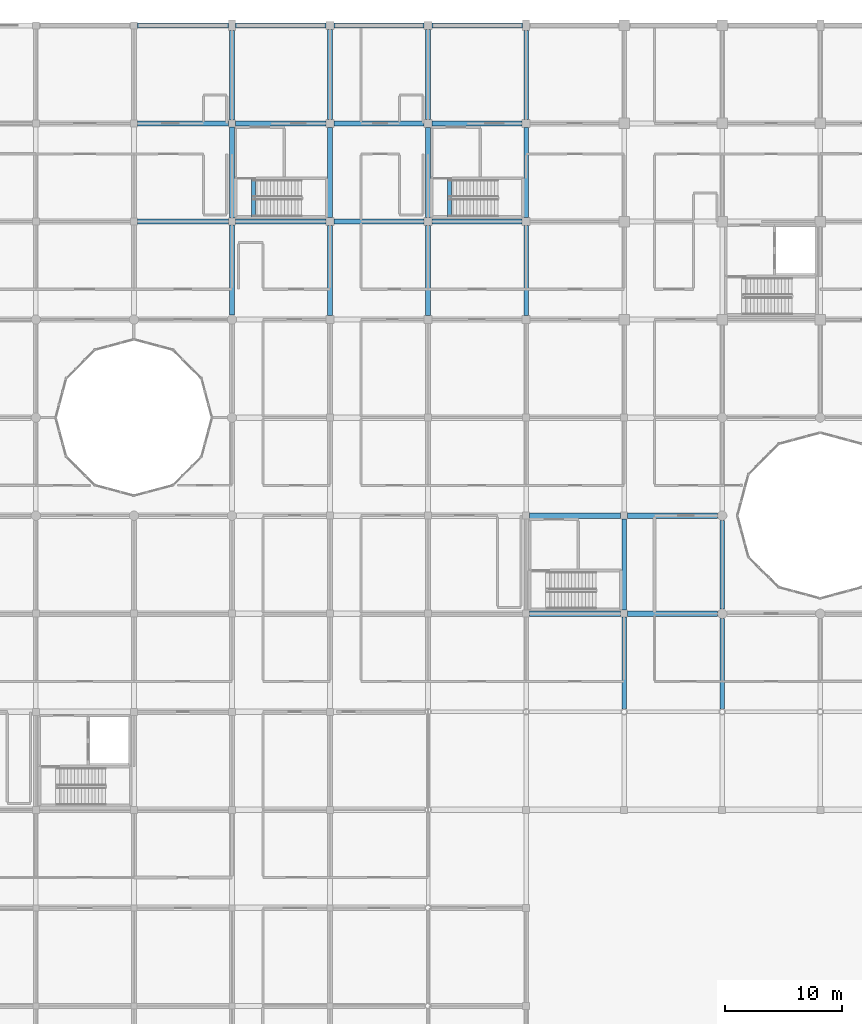
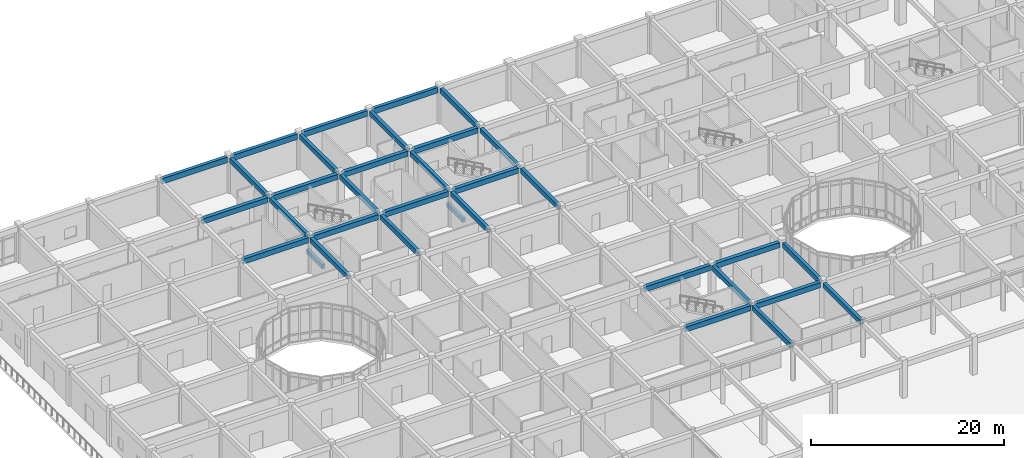
# One storey, part 32 of 138: 34 beams.
"""IFC4 building model written with IfcOpenShell, lengths in metres."""

from ifc_helpers import new_model, si_unit, direction, frame, origin, origin_2d, place, context, subcontext, project, spatial, rectangle, extrude, material, material_profile, profile_set, type_object, element, save


model = new_model("IFC4")

# Units and contexts
model_context = context("Model", 3, precision=1e-05, world=origin(), true_north=direction((0.0, 1.0)))
body_context = subcontext(model_context, "Body", "Model", "MODEL_VIEW")
ifc_project = project(units=[si_unit("LENGTHUNIT", "METRE"), si_unit("AREAUNIT", "SQUARE_METRE"), si_unit("VOLUMEUNIT", "CUBIC_METRE"), si_unit("PLANEANGLEUNIT", "RADIAN"), si_unit("MASSUNIT", "GRAM", prefix="KILO")], contexts=[model_context])

# Site, building, storey
site_placement = place(None, origin())
site = spatial("IfcSite", under=ifc_project, at=site_placement, CompositionType="ELEMENT")
building_placement = place(site_placement, origin())
building = spatial("IfcBuilding", under=site, at=building_placement, Name="Bramfleet General Hospital", CompositionType="ELEMENT")
storey_placement = place(building_placement, origin())
storey = spatial("IfcBuildingStorey", under=building, at=storey_placement, Name="L00", CompositionType="ELEMENT", Elevation=0.0)

# Beams
ifc_material = material(Name="Concrete C35/45", Category="concrete")
ifc_material_profile_1 = material_profile(ifc_material, rectangle(XDim=0.35009765625, YDim=0.550048828125, at=origin_2d()), Name="RC BM 550x350")
ifc_profile_set_1 = profile_set([ifc_material_profile_1], Name="Concrete C35/45")
beam_type_1 = type_object("IfcBeamType", Name="BM-RC550", PredefinedType="BEAM", material=ifc_profile_set_1)
for number, where, z_axis, x_axis, name in (
    (1, (35.43994140625, 101.179931640625, -0.27490234375), (0.0, 1.0, 0.0), (-1.0, 0.0, 0.0), "L00 C8 Stairwell Trimmer Beam"),
    (2, (52.239990234375, 101.179931640625, -0.27490234375), (0.0, 1.0, 0.0), (-1.0, 0.0, 0.0), "L00 C14 Stairwell Trimmer Beam"),
):
    element("IfcBeam", number, at=place(storey_placement, frame(where, z_axis=z_axis, x_axis=x_axis)), inside=storey, type_object=beam_type_1, Name=name, PredefinedType="BEAM", context=body_context, shape_type="SweptSolid", body=[
        extrude(rectangle(XDim=0.35009765625, YDim=0.550048828125, at=origin_2d()), origin(), (0.0, 0.0, 1.0), 3.320068359375),
    ])
ifc_material_profile_2 = material_profile(ifc_material, rectangle(XDim=0.39990234375, YDim=0.60009765625, at=origin_2d()), Name="RC BM 600x400")
ifc_profile_set_2 = profile_set([ifc_material_profile_2], Name="Concrete C35/45")
beam_type_2 = type_object("IfcBeamType", Name="BM-RC600", PredefinedType="BEAM", material=ifc_profile_set_2)
beam_1_placement = place(storey_placement, frame((33.60009765625, 92.800048828125, 4.199951171875), z_axis=(0.0, 1.0, 0.0), x_axis=(-1.0, 0.0, 0.0)))
element("IfcBeam", 3, at=beam_1_placement, inside=storey, type_object=beam_type_2, Name="L00 Grid Beam Y 04-11", PredefinedType="BEAM", context=body_context, shape_type="SweptSolid", body=[
    extrude(rectangle(XDim=0.39990234375, YDim=0.60009765625, at=origin_2d()), origin(), (0.0, 0.0, 1.0), 7.699951171875),
])
beam_2_placement = place(storey_placement, frame((33.60009765625, 101.10009765625, 4.199951171875), z_axis=(0.0, 1.0, 0.0), x_axis=(-1.0, 0.0, 0.0)))
element("IfcBeam", 4, at=beam_2_placement, inside=storey, type_object=beam_type_2, Name="L00 Grid Beam Y 04-12", PredefinedType="BEAM", context=body_context, shape_type="SweptSolid", body=[
    extrude(rectangle(XDim=0.39990234375, YDim=0.60009765625, at=origin_2d()), origin(), (0.0, 0.0, 1.0), 7.7998046875),
])
beam_3_placement = place(storey_placement, frame((33.60009765625, 109.5, 4.199951171875), z_axis=(0.0, 1.0, 0.0), x_axis=(-1.0, 0.0, 0.0)))
element("IfcBeam", 5, at=beam_3_placement, inside=storey, type_object=beam_type_2, Name="L00 Grid Beam Y 04-13", PredefinedType="BEAM", context=body_context, shape_type="SweptSolid", body=[
    extrude(rectangle(XDim=0.39990234375, YDim=0.60009765625, at=origin_2d()), origin(), (0.0, 0.0, 1.0), 7.64990234375),
])
beam_4_placement = place(storey_placement, frame((42.0, 92.75, 4.199951171875), z_axis=(0.0, 1.0, 0.0), x_axis=(-1.0, 0.0, 0.0)))
element("IfcBeam", 6, at=beam_4_placement, inside=storey, type_object=beam_type_2, Name="L00 Grid Beam Y 05-11", PredefinedType="BEAM", context=body_context, shape_type="SweptSolid", body=[
    extrude(rectangle(XDim=0.39990234375, YDim=0.60009765625, at=origin_2d()), origin(), (0.0, 0.0, 1.0), 7.699951171875),
])
beam_5_placement = place(storey_placement, frame((42.0, 101.14990234375, 4.199951171875), z_axis=(0.0, 1.0, 0.0), x_axis=(-1.0, 0.0, 0.0)))
element("IfcBeam", 7, at=beam_5_placement, inside=storey, type_object=beam_type_2, Name="L00 Grid Beam Y 05-12", PredefinedType="BEAM", context=body_context, shape_type="SweptSolid", body=[
    extrude(rectangle(XDim=0.39990234375, YDim=0.60009765625, at=origin_2d()), origin(), (0.0, 0.0, 1.0), 7.7001953125),
])
for number, where, z_axis, x_axis, name in (
    (8, (42.0, 109.550048828125, 4.199951171875), (0.0, 1.0, 0.0), (-1.0, 0.0, 0.0), "L00 Grid Beam Y 05-13"),
    (9, (50.39990234375, 92.75, 4.199951171875), (0.0, 1.0, 0.0), (-1.0, 0.0, 0.0), "L00 Grid Beam Y 06-11"),
):
    element("IfcBeam", number, at=place(storey_placement, frame(where, z_axis=z_axis, x_axis=x_axis)), inside=storey, type_object=beam_type_2, Name=name, PredefinedType="BEAM", context=body_context, shape_type="SweptSolid", body=[
        extrude(rectangle(XDim=0.39990234375, YDim=0.60009765625, at=origin_2d()), origin(), (0.0, 0.0, 1.0), 7.699951171875),
    ])
beam_6_placement = place(storey_placement, frame((50.39990234375, 101.14990234375, 4.199951171875), z_axis=(0.0, 1.0, 0.0), x_axis=(-1.0, 0.0, 0.0)))
element("IfcBeam", 10, at=beam_6_placement, inside=storey, type_object=beam_type_2, Name="L00 Grid Beam Y 06-12", PredefinedType="BEAM", context=body_context, shape_type="SweptSolid", body=[
    extrude(rectangle(XDim=0.39990234375, YDim=0.60009765625, at=origin_2d()), origin(), (0.0, 0.0, 1.0), 7.7001953125),
])
for number, where, z_axis, x_axis, name in (
    (11, (50.39990234375, 109.550048828125, 4.199951171875), (0.0, 1.0, 0.0), (-1.0, 0.0, 0.0), "L00 Grid Beam Y 06-13"),
    (12, (58.800048828125, 92.75, 4.199951171875), (0.0, 1.0, 0.0), (-1.0, 0.0, 0.0), "L00 Grid Beam Y 07-11"),
):
    element("IfcBeam", number, at=place(storey_placement, frame(where, z_axis=z_axis, x_axis=x_axis)), inside=storey, type_object=beam_type_2, Name=name, PredefinedType="BEAM", context=body_context, shape_type="SweptSolid", body=[
        extrude(rectangle(XDim=0.39990234375, YDim=0.60009765625, at=origin_2d()), origin(), (0.0, 0.0, 1.0), 7.699951171875),
    ])
beam_7_placement = place(storey_placement, frame((58.800048828125, 101.14990234375, 4.199951171875), z_axis=(0.0, 1.0, 0.0), x_axis=(-1.0, 0.0, 0.0)))
element("IfcBeam", 13, at=beam_7_placement, inside=storey, type_object=beam_type_2, Name="L00 Grid Beam Y 07-12", PredefinedType="BEAM", context=body_context, shape_type="SweptSolid", body=[
    extrude(rectangle(XDim=0.39990234375, YDim=0.60009765625, at=origin_2d()), origin(), (0.0, 0.0, 1.0), 7.7001953125),
])
beam_8_placement = place(storey_placement, frame((58.800048828125, 109.550048828125, 4.199951171875), z_axis=(0.0, 1.0, 0.0), x_axis=(-1.0, 0.0, 0.0)))
element("IfcBeam", 14, at=beam_8_placement, inside=storey, type_object=beam_type_2, Name="L00 Grid Beam Y 07-13", PredefinedType="BEAM", context=body_context, shape_type="SweptSolid", body=[
    extrude(rectangle(XDim=0.39990234375, YDim=0.60009765625, at=origin_2d()), origin(), (0.0, 0.0, 1.0), 7.599853515625),
])
beam_9_placement = place(storey_placement, frame((67.199951171875, 59.053955078125, 4.199951171875), z_axis=(0.0, 1.0, 0.0), x_axis=(-1.0, 0.0, 0.0)))
element("IfcBeam", 15, at=beam_9_placement, inside=storey, type_object=beam_type_2, Name="L00 Grid Beam Y 08-07", PredefinedType="BEAM", context=body_context, shape_type="SweptSolid", body=[
    extrude(rectangle(XDim=0.39990234375, YDim=0.60009765625, at=origin_2d()), origin(), (0.0, 0.0, 1.0), 7.845947265625),
])
beam_10_placement = place(storey_placement, frame((67.199951171875, 67.5, 4.199951171875), z_axis=(0.0, 1.0, 0.0), x_axis=(-1.0, 0.0, 0.0)))
element("IfcBeam", 16, at=beam_10_placement, inside=storey, type_object=beam_type_2, Name="L00 Grid Beam Y 08-08", PredefinedType="BEAM", context=body_context, shape_type="SweptSolid", body=[
    extrude(rectangle(XDim=0.39990234375, YDim=0.60009765625, at=origin_2d()), origin(), (0.0, 0.0, 1.0), 7.800048828125),
])
beam_11_placement = place(storey_placement, frame((75.60009765625, 59.053955078125, 4.199951171875), z_axis=(0.0, 1.0, 0.0), x_axis=(-1.0, 0.0, 0.0)))
element("IfcBeam", 17, at=beam_11_placement, inside=storey, type_object=beam_type_2, Name="L00 Grid Beam Y 09-07", PredefinedType="BEAM", context=body_context, shape_type="SweptSolid", body=[
    extrude(rectangle(XDim=0.39990234375, YDim=0.60009765625, at=origin_2d()), origin(), (0.0, 0.0, 1.0), 7.74609375),
])
beam_12_placement = place(storey_placement, frame((75.60009765625, 67.60009765625, 4.199951171875), z_axis=(0.0, 1.0, 0.0), x_axis=(-1.0, 0.0, 0.0)))
element("IfcBeam", 18, at=beam_12_placement, inside=storey, type_object=beam_type_2, Name="L00 Grid Beam Y 09-08", PredefinedType="BEAM", context=body_context, shape_type="SweptSolid", body=[
    extrude(rectangle(XDim=0.39990234375, YDim=0.60009765625, at=origin_2d()), origin(), (0.0, 0.0, 1.0), 7.599853515625),
])
ifc_material_profile_3 = material_profile(ifc_material, rectangle(XDim=0.449951171875, YDim=0.64990234375, at=origin_2d()), Name="RC BM 650x450")
ifc_profile_set_3 = profile_set([ifc_material_profile_3], Name="Concrete C35/45")
beam_type_3 = type_object("IfcBeamType", Name="BM-RC650", PredefinedType="BEAM", material=ifc_profile_set_3)
for number, where, z_axis, x_axis, name in (
    (19, (25.5, 100.800048828125, 4.175048828125), (1.0, 0.0, 0.0), (0.0, 1.0, 0.0), "L00 Grid Beam X 03-12"),
    (20, (25.5, 109.199951171875, 4.175048828125), (1.0, 0.0, 0.0), (0.0, 1.0, 0.0), "L00 Grid Beam X 03-13"),
):
    element("IfcBeam", number, at=place(storey_placement, frame(where, z_axis=z_axis, x_axis=x_axis)), inside=storey, type_object=beam_type_3, Name=name, PredefinedType="BEAM", context=body_context, shape_type="SweptSolid", body=[
        extrude(rectangle(XDim=0.449951171875, YDim=0.64990234375, at=origin_2d()), origin(), (0.0, 0.0, 1.0), 7.800048828125),
    ])
for number, where, z_axis, x_axis, name in (
    (21, (33.89990234375, 100.800048828125, 4.175048828125), (1.0, 0.0, 0.0), (0.0, 1.0, 0.0), "L00 Grid Beam X 04-12"),
    (22, (33.89990234375, 109.199951171875, 4.175048828125), (1.0, 0.0, 0.0), (0.0, 1.0, 0.0), "L00 Grid Beam X 04-13"),
):
    element("IfcBeam", number, at=place(storey_placement, frame(where, z_axis=z_axis, x_axis=x_axis)), inside=storey, type_object=beam_type_3, Name=name, PredefinedType="BEAM", context=body_context, shape_type="SweptSolid", body=[
        extrude(rectangle(XDim=0.449951171875, YDim=0.64990234375, at=origin_2d()), origin(), (0.0, 0.0, 1.0), 7.75),
    ])
for number, where, z_axis, x_axis, name in (
    (23, (42.35009765625, 100.800048828125, 4.175048828125), (1.0, 0.0, 0.0), (0.0, 1.0, 0.0), "L00 Grid Beam X 05-12"),
    (24, (42.35009765625, 109.199951171875, 4.175048828125), (1.0, 0.0, 0.0), (0.0, 1.0, 0.0), "L00 Grid Beam X 05-13"),
    (25, (50.75, 100.800048828125, 4.175048828125), (1.0, 0.0, 0.0), (0.0, 1.0, 0.0), "L00 Grid Beam X 06-12"),
    (26, (50.75, 109.199951171875, 4.175048828125), (1.0, 0.0, 0.0), (0.0, 1.0, 0.0), "L00 Grid Beam X 06-13"),
):
    element("IfcBeam", number, at=place(storey_placement, frame(where, z_axis=z_axis, x_axis=x_axis)), inside=storey, type_object=beam_type_3, Name=name, PredefinedType="BEAM", context=body_context, shape_type="SweptSolid", body=[
        extrude(rectangle(XDim=0.449951171875, YDim=0.64990234375, at=origin_2d()), origin(), (0.0, 0.0, 1.0), 7.699951171875),
    ])
for number, where, z_axis, x_axis, name in (
    (27, (59.10009765625, 67.199951171875, 4.175048828125), (1.0, 0.0, 0.0), (0.0, 1.0, 0.0), "L00 Grid Beam X 07-08"),
    (28, (59.10009765625, 75.60009765625, 4.175048828125), (1.0, 0.0, 0.0), (0.0, 1.0, 0.0), "L00 Grid Beam X 07-09"),
):
    element("IfcBeam", number, at=place(storey_placement, frame(where, z_axis=z_axis, x_axis=x_axis)), inside=storey, type_object=beam_type_3, Name=name, PredefinedType="BEAM", context=body_context, shape_type="SweptSolid", body=[
        extrude(rectangle(XDim=0.449951171875, YDim=0.64990234375, at=origin_2d()), origin(), (0.0, 0.0, 1.0), 7.7998046875),
    ])
for number, where, z_axis, x_axis, name in (
    (29, (67.5, 67.199951171875, 4.175048828125), (1.0, 0.0, 0.0), (0.0, 1.0, 0.0), "L00 Grid Beam X 08-08"),
    (30, (67.5, 75.60009765625, 4.175048828125), (1.0, 0.0, 0.0), (0.0, 1.0, 0.0), "L00 Grid Beam X 08-09"),
):
    element("IfcBeam", number, at=place(storey_placement, frame(where, z_axis=z_axis, x_axis=x_axis)), inside=storey, type_object=beam_type_3, Name=name, PredefinedType="BEAM", context=body_context, shape_type="SweptSolid", body=[
        extrude(rectangle(XDim=0.449951171875, YDim=0.64990234375, at=origin_2d()), origin(), (0.0, 0.0, 1.0), 7.699951171875),
    ])
ifc_material_profile_4 = material_profile(ifc_material, rectangle(XDim=0.39990234375, YDim=0.699951171875, at=origin_2d()), Name="RC SP 700x400")
ifc_profile_set_4 = profile_set([ifc_material_profile_4], Name="Concrete C35/45")
beam_type_4 = type_object("IfcBeamType", Name="BM-SP700", PredefinedType="SPANDREL", material=ifc_profile_set_4)
beam_13_placement = place(storey_placement, frame((25.5, 117.60009765625, 4.14990234375), z_axis=(1.0, 0.0, 0.0), x_axis=(0.0, 1.0, 0.0)))
element("IfcBeam", 31, at=beam_13_placement, inside=storey, type_object=beam_type_4, Name="L00 Grid Beam X 03-14", PredefinedType="SPANDREL", context=body_context, shape_type="SweptSolid", body=[
    extrude(rectangle(XDim=0.39990234375, YDim=0.699951171875, at=origin_2d()), origin(), (0.0, 0.0, 1.0), 7.800048828125),
])
beam_14_placement = place(storey_placement, frame((33.89990234375, 117.60009765625, 4.14990234375), z_axis=(1.0, 0.0, 0.0), x_axis=(0.0, 1.0, 0.0)))
element("IfcBeam", 32, at=beam_14_placement, inside=storey, type_object=beam_type_4, Name="L00 Grid Beam X 04-14", PredefinedType="SPANDREL", context=body_context, shape_type="SweptSolid", body=[
    extrude(rectangle(XDim=0.39990234375, YDim=0.699951171875, at=origin_2d()), origin(), (0.0, 0.0, 1.0), 7.75),
])
beam_15_placement = place(storey_placement, frame((42.35009765625, 117.60009765625, 4.14990234375), z_axis=(1.0, 0.0, 0.0), x_axis=(0.0, 1.0, 0.0)))
element("IfcBeam", 33, at=beam_15_placement, inside=storey, type_object=beam_type_4, Name="L00 Grid Beam X 05-14", PredefinedType="SPANDREL", context=body_context, shape_type="SweptSolid", body=[
    extrude(rectangle(XDim=0.39990234375, YDim=0.699951171875, at=origin_2d()), origin(), (0.0, 0.0, 1.0), 7.699951171875),
])
beam_16_placement = place(storey_placement, frame((50.75, 117.60009765625, 4.14990234375), z_axis=(1.0, 0.0, 0.0), x_axis=(0.0, 1.0, 0.0)))
element("IfcBeam", 34, at=beam_16_placement, inside=storey, type_object=beam_type_4, Name="L00 Grid Beam X 06-14", PredefinedType="SPANDREL", context=body_context, shape_type="SweptSolid", body=[
    extrude(rectangle(XDim=0.39990234375, YDim=0.699951171875, at=origin_2d()), origin(), (0.0, 0.0, 1.0), 7.75),
])

save(model, "model.ifc")
